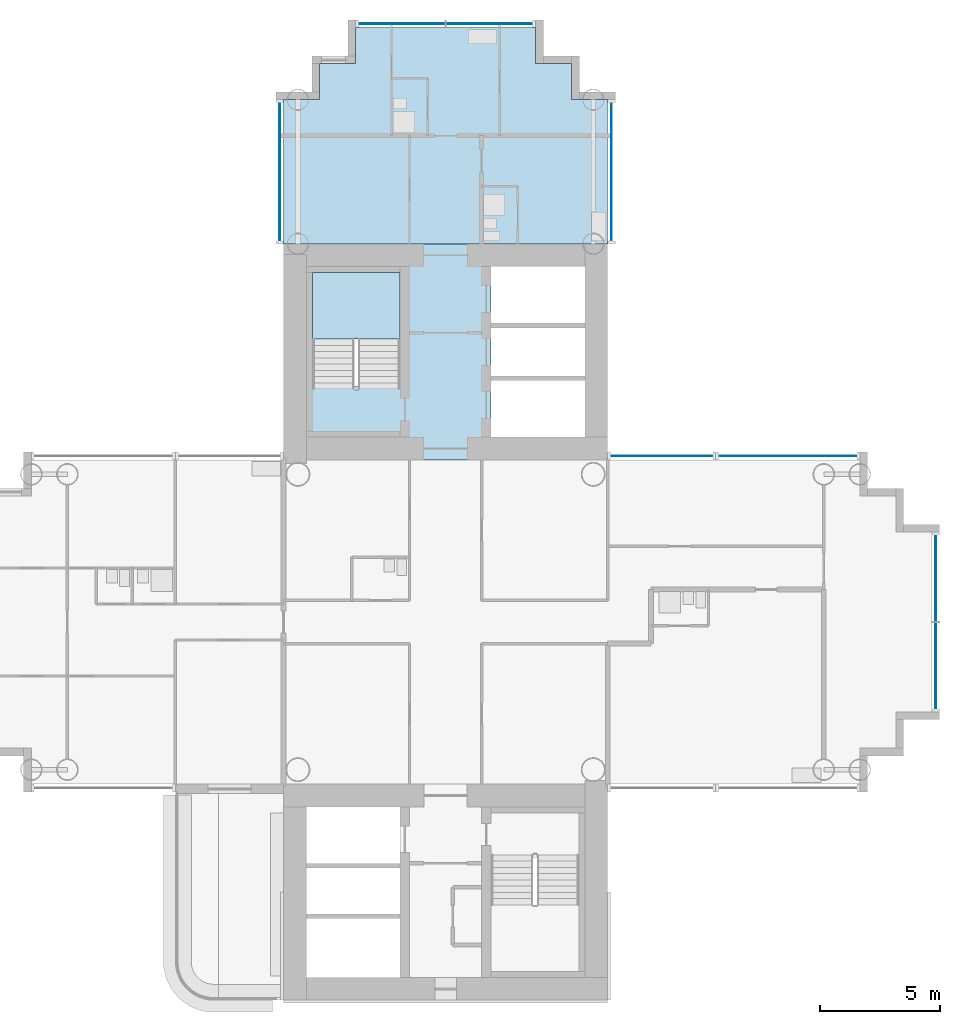
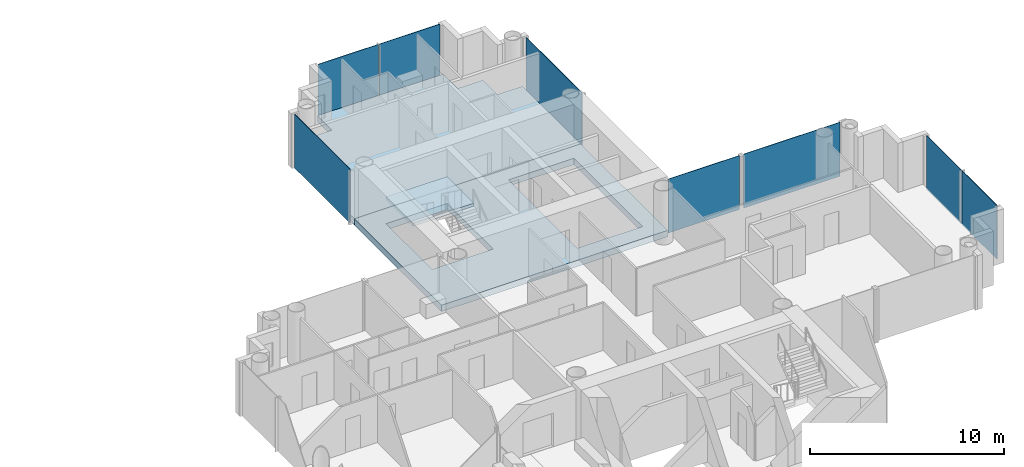
# One storey, part 8 of 22: 8 plates, 3 slabs, 7 elements without a shape of their own.
"""IFC4 building model written with IfcOpenShell, lengths in metres."""

from ifc_helpers import new_model, si_unit, direction, frame, origin, origin_2d, place, context, subcontext, project, spatial, polyline, rectangle, outline, extrude, material, layer, layer_set, type_object, element, aggregate, save


model = new_model("IFC4")

# Units and contexts
model_context = context("Model", 3, precision=1e-05, world=origin(), true_north=direction((0.0, 1.0)))
body_context = subcontext(model_context, "Body", "Model", "MODEL_VIEW")
ifc_project = project(units=[si_unit("LENGTHUNIT", "METRE"), si_unit("AREAUNIT", "SQUARE_METRE"), si_unit("VOLUMEUNIT", "CUBIC_METRE"), si_unit("PLANEANGLEUNIT", "RADIAN"), si_unit("MASSUNIT", "GRAM", prefix="KILO")], contexts=[model_context])

# Site, building, storey
site_placement = place(None, origin())
site = spatial("IfcSite", under=ifc_project, at=site_placement, CompositionType="ELEMENT")
building_placement = place(site_placement, origin())
building = spatial("IfcBuilding", under=site, at=building_placement, Name="Ipe Terrace Towers", CompositionType="ELEMENT")
storey_placement = place(building_placement, frame((0.0, 0.0, 110.60009765625)))
storey = spatial("IfcBuildingStorey", under=building, at=storey_placement, Name="L30", CompositionType="ELEMENT", Elevation=110.60009765625)

# Slab
ifc_material_1 = material(Name="Concrete C30/37", Category="concrete")
ifc_layer_1 = layer(ifc_material_1, 0.39990234375)
ifc_layer_set_1 = layer_set([ifc_layer_1], Name="CORE FLOOR SLAB 400 C30-37")
slab_type_1 = type_object("IfcSlabType", Name="CORE FLOOR SLAB 400 C30-37", PredefinedType="FLOOR", material=ifc_layer_set_1)
slab_1_placement = place(storey_placement, frame((0.0, 0.0, -0.400146484375)))
element("IfcSlab", 1, at=slab_1_placement, inside=storey, type_object=slab_type_1, Name="Core floor T2-C1", PredefinedType="FLOOR", context=body_context, shape_type="SweptSolid", body=[
    extrude(outline(polyline([(29.25, 6.75), (29.25, 15.75), (42.75, 15.75), (42.75, 6.75), (29.25, 6.75)]), holes=[polyline([(41.800048828125, 7.699951171875), (41.800048828125, 14.800048828125), (37.89990234375, 14.800048828125), (37.89990234375, 7.699951171875), (41.800048828125, 7.699951171875)]), polyline([(30.449951171875, 9.800048828125), (34.10009765625, 9.800048828125), (34.10009765625, 14.550048828125), (30.449951171875, 14.550048828125), (30.449951171875, 9.800048828125)])]), origin(), (0.0, 0.0, 1.0), 0.400146484375),
])

# Stair, slab
ifc_material_2 = material(Name="Concrete C30/37", Category="concrete")
stair_type = type_object("IfcStairType", Name="Protected exit stair", PredefinedType="HALF_TURN_STAIR", material=ifc_material_2)
stair_placement = place(storey_placement, origin())
stair = element("IfcStair", 2, at=stair_placement, inside=storey, type_object=stair_type, Name="L30 Exit stair T2-C1", PredefinedType="HALF_TURN_STAIR")
ifc_material_3 = material(Name="Concrete C30/37", Category="concrete")
ifc_layer_2 = layer(ifc_material_3, 0.199951171875)
ifc_layer_set_2 = layer_set([ifc_layer_2], Name="Exit stair landing 200")
slab_type_2 = type_object("IfcSlabType", Name="Exit stair landing 200", PredefinedType="LANDING", material=ifc_layer_set_2)
slab_2_placement = place(storey_placement, frame((0.0, 0.0, 1.5)))
slab_2 = element("IfcSlab", 3, at=slab_2_placement, type_object=slab_type_2, Name="T2-ST1 landing 1", PredefinedType="LANDING", context=body_context, shape_type="SweptSolid", body=[
    extrude(outline(polyline([(34.10009765625, 11.780029296875), (34.10009765625, 14.550048828125), (30.449951171875, 14.550048828125), (30.449951171875, 11.780029296875), (34.10009765625, 11.780029296875)])), origin(), (0.0, 0.0, 1.0), 0.199951171875),
])
aggregate(stair, [slab_2])

# Slab
ifc_material_4 = material(Name="Concrete C40/50", Category="concrete")
ifc_layer_3 = layer(ifc_material_4, 0.39990234375)
ifc_layer_set_3 = layer_set([ifc_layer_3], Name="FLAT PLATE SLAB 400 C40-50")
slab_type_3 = type_object("IfcSlabType", Name="FLAT PLATE SLAB 400 C40-50", PredefinedType="FLOOR", material=ifc_layer_set_3)
slab_3_placement = place(storey_placement, frame((0.0, 0.0, -0.400146484375)))
element("IfcSlab", 4, at=slab_3_placement, inside=storey, type_object=slab_type_3, Name="Slab T2-FS-Z22", PredefinedType="FLOOR", context=body_context, shape_type="SweptSolid", body=[
    extrude(outline(polyline([(30.75, 21.75), (30.75, 23.25), (32.25, 23.25), (32.25, 24.75), (39.75, 24.75), (39.75, 23.25), (41.25, 23.25), (41.25, 21.75), (42.75, 21.75), (42.75, 15.75), (29.25, 15.75), (29.25, 21.75), (30.75, 21.75)])), origin(), (0.0, 0.0, 1.0), 0.400146484375),
])

# Curtain wall, plates
ifc_material_5 = material(Name="Aluminium alloy 6063-T6", Category="aluminium")
ifc_layer_4 = layer(ifc_material_5, 0.320068359375)
ifc_layer_set_4 = layer_set([ifc_layer_4], Name="TOWER UNITISED CURTAIN WALL")
curtain_wall_type = type_object("IfcCurtainWallType", Name="TOWER UNITISED CURTAIN WALL", PredefinedType="NOTDEFINED", material=ifc_layer_set_4)
curtain_wall_1_placement = place(storey_placement, origin())
curtain_wall_1 = element("IfcCurtainWall", 5, at=curtain_wall_1_placement, inside=storey, type_object=curtain_wall_type, Name="T2-CW-L30-08a curtain wall", PredefinedType="NOTDEFINED")
ifc_material_6 = material(Name="Glass, clear laminated", Category="glass")
ifc_layer_5 = layer(ifc_material_6, 0.031982421875)
ifc_layer_set_5 = layer_set([ifc_layer_5], Name="TOWER UNITISED GLASS PANEL 32")
plate_type = type_object("IfcPlateType", Name="TOWER UNITISED GLASS PANEL 32", PredefinedType="CURTAIN_PANEL", material=ifc_layer_set_5)
plate_1_placement = place(storey_placement, frame((56.409912109375, -1.831298828125, -0.300048828125), z_axis=(0.0, 0.0, 1.0), x_axis=(0.0, 1.0, 0.0)))
plate_1 = element("IfcPlate", 6, at=plate_1_placement, type_object=plate_type, Name="T2-CW-L30-08a panel 1", PredefinedType="CURTAIN_PANEL", context=body_context, shape_type="SweptSolid", body=[
    extrude(rectangle(XDim=3.597412109375, YDim=0.031982421875, at=origin_2d()), origin(), (0.0, 0.0, 1.0), 3.39990234375),
])
plate_2_placement = place(storey_placement, frame((56.409912109375, 1.831298828125, -0.300048828125), z_axis=(0.0, 0.0, 1.0), x_axis=(0.0, 1.0, 0.0)))
plate_2 = element("IfcPlate", 7, at=plate_2_placement, type_object=plate_type, Name="T2-CW-L30-08a panel 2", PredefinedType="CURTAIN_PANEL", context=body_context, shape_type="SweptSolid", body=[
    extrude(rectangle(XDim=3.597412109375, YDim=0.031982421875, at=origin_2d()), origin(), (0.0, 0.0, 1.0), 3.39990234375),
])
aggregate(curtain_wall_1, [plate_1, plate_2])

# Curtain wall, plate
curtain_wall_2_placement = place(storey_placement, origin())
curtain_wall_2 = element("IfcCurtainWall", 8, at=curtain_wall_2_placement, inside=storey, type_object=curtain_wall_type, Name="T2-CW-L30-13a curtain wall", PredefinedType="NOTDEFINED")
plate_3_placement = place(storey_placement, frame((50.25, 6.909912109375, -0.300048828125), z_axis=(0.0, 0.0, 1.0), x_axis=(-1.0, 0.0, 0.0)))
plate_3 = element("IfcPlate", 9, at=plate_3_placement, type_object=plate_type, Name="T2-CW-L30-13a panel 1", PredefinedType="CURTAIN_PANEL", context=body_context, shape_type="SweptSolid", body=[
    extrude(rectangle(XDim=5.760009765625, YDim=0.031982421875, at=origin_2d()), origin(), (0.0, 0.0, 1.0), 3.39990234375),
])
aggregate(curtain_wall_2, [plate_3])

curtain_wall_3_placement = place(storey_placement, origin())
curtain_wall_3 = element("IfcCurtainWall", 10, at=curtain_wall_3_placement, inside=storey, type_object=curtain_wall_type, Name="T2-CW-L30-14a curtain wall", PredefinedType="NOTDEFINED")
plate_4_placement = place(storey_placement, frame((45.0, 6.909912109375, -0.300048828125), z_axis=(0.0, 0.0, 1.0), x_axis=(-1.0, 0.0, 0.0)))
plate_4 = element("IfcPlate", 11, at=plate_4_placement, type_object=plate_type, Name="T2-CW-L30-14a panel 1", PredefinedType="CURTAIN_PANEL", context=body_context, shape_type="SweptSolid", body=[
    extrude(rectangle(XDim=4.260009765625, YDim=0.031982421875, at=origin_2d()), origin(), (0.0, 0.0, 1.0), 3.39990234375),
])
aggregate(curtain_wall_3, [plate_4])

curtain_wall_4_placement = place(storey_placement, origin())
curtain_wall_4 = element("IfcCurtainWall", 12, at=curtain_wall_4_placement, inside=storey, type_object=curtain_wall_type, Name="T2-CW-L30-16b curtain wall", PredefinedType="NOTDEFINED")
plate_5_placement = place(storey_placement, frame((42.909912109375, 18.75048828125, -0.300048828125), z_axis=(0.0, 0.0, 1.0), x_axis=(0.0, 1.0, 0.0)))
plate_5 = element("IfcPlate", 13, at=plate_5_placement, type_object=plate_type, Name="T2-CW-L30-16b panel 1", PredefinedType="CURTAIN_PANEL", context=body_context, shape_type="SweptSolid", body=[
    extrude(rectangle(XDim=5.759033203125, YDim=0.031982421875, at=origin_2d()), origin(), (0.0, 0.0, 1.0), 3.39990234375),
])
aggregate(curtain_wall_4, [plate_5])

# Curtain wall, plates
curtain_wall_5_placement = place(storey_placement, origin())
curtain_wall_5 = element("IfcCurtainWall", 14, at=curtain_wall_5_placement, inside=storey, type_object=curtain_wall_type, Name="T2-CW-L30-21a curtain wall", PredefinedType="NOTDEFINED")
plate_6_placement = place(storey_placement, frame((37.831298828125, 24.909912109375, -0.300048828125), z_axis=(0.0, 0.0, 1.0), x_axis=(-1.0, 0.0, 0.0)))
plate_6 = element("IfcPlate", 15, at=plate_6_placement, type_object=plate_type, Name="T2-CW-L30-21a panel 1", PredefinedType="CURTAIN_PANEL", context=body_context, shape_type="SweptSolid", body=[
    extrude(rectangle(XDim=3.597412109375, YDim=0.031982421875, at=origin_2d()), origin(), (0.0, 0.0, 1.0), 3.39990234375),
])
plate_7_placement = place(storey_placement, frame((34.168701171875, 24.909912109375, -0.300048828125), z_axis=(0.0, 0.0, 1.0), x_axis=(-1.0, 0.0, 0.0)))
plate_7 = element("IfcPlate", 16, at=plate_7_placement, type_object=plate_type, Name="T2-CW-L30-21a panel 2", PredefinedType="CURTAIN_PANEL", context=body_context, shape_type="SweptSolid", body=[
    extrude(rectangle(XDim=3.597412109375, YDim=0.031982421875, at=origin_2d()), origin(), (0.0, 0.0, 1.0), 3.39990234375),
])
aggregate(curtain_wall_5, [plate_6, plate_7])

# Curtain wall, plate
curtain_wall_6_placement = place(storey_placement, origin())
curtain_wall_6 = element("IfcCurtainWall", 17, at=curtain_wall_6_placement, inside=storey, type_object=curtain_wall_type, Name="T2-CW-L30-26a curtain wall", PredefinedType="NOTDEFINED")
plate_8_placement = place(storey_placement, frame((29.090087890625, 18.75048828125, -0.300048828125), z_axis=(0.0, 0.0, 1.0), x_axis=(0.0, -1.0, 0.0)))
plate_8 = element("IfcPlate", 18, at=plate_8_placement, type_object=plate_type, Name="T2-CW-L30-26a panel 1", PredefinedType="CURTAIN_PANEL", context=body_context, shape_type="SweptSolid", body=[
    extrude(rectangle(XDim=5.759033203125, YDim=0.031982421875, at=origin_2d()), origin(), (0.0, 0.0, 1.0), 3.39990234375),
])
aggregate(curtain_wall_6, [plate_8])

save(model, "model.ifc")
